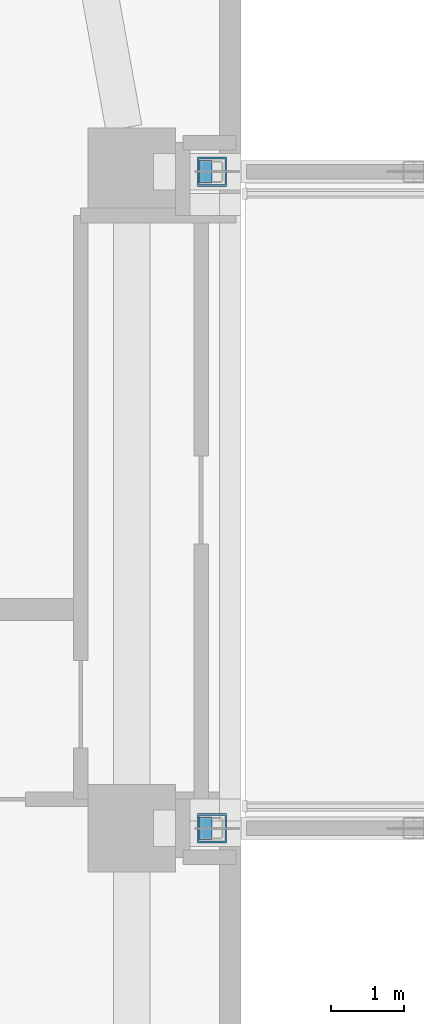
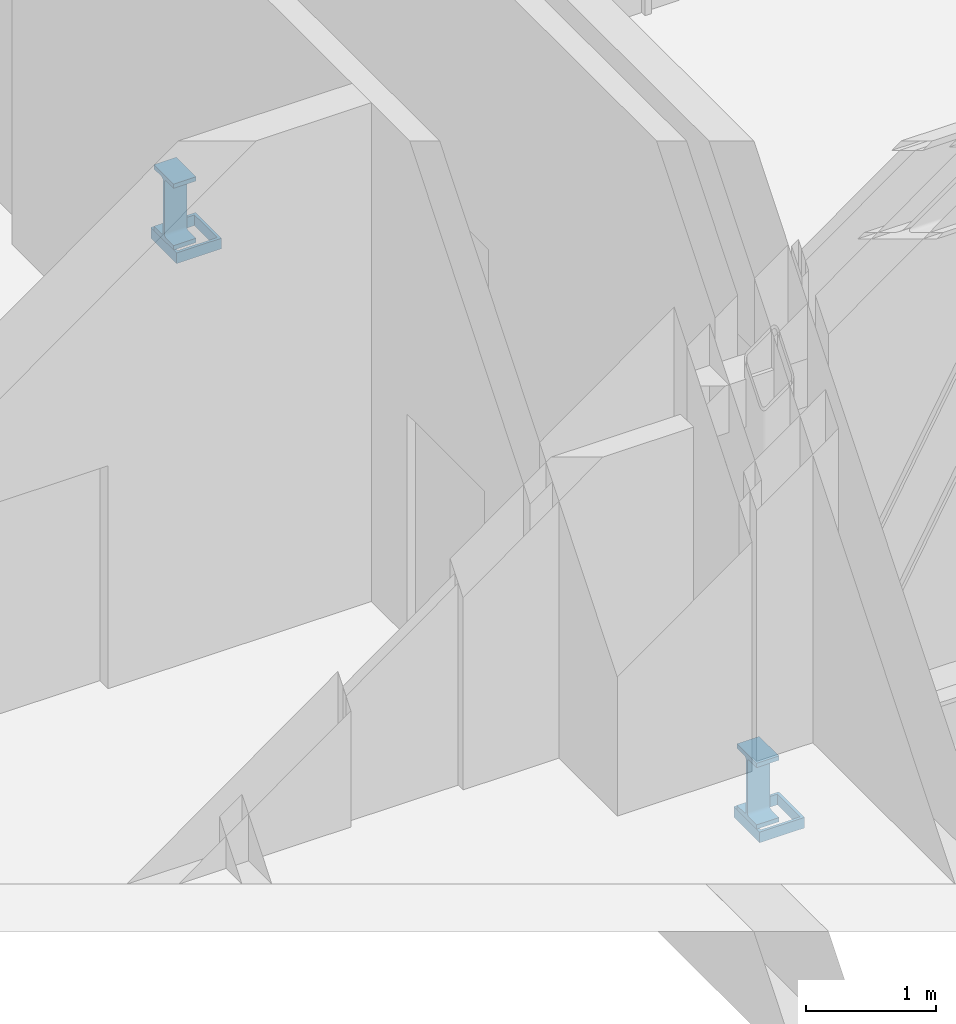
# One storey, part 4 of 35: 4 members.
"""IFC4 building model written with IfcOpenShell, lengths in metres."""

from ifc_helpers import new_model, si_unit, direction, frame, origin, origin_2d, place, context, subcontext, project, spatial, hollow_rectangle, i_section, extrude, material, material_profile, profile_set, type_object, element, save


model = new_model("IFC4")

# Units and contexts
model_context = context("Model", 3, precision=1e-05, world=origin(), true_north=direction((0.0, 1.0)))
body_context = subcontext(model_context, "Body", "Model", "MODEL_VIEW")
ifc_project = project(units=[si_unit("LENGTHUNIT", "METRE"), si_unit("AREAUNIT", "SQUARE_METRE"), si_unit("VOLUMEUNIT", "CUBIC_METRE"), si_unit("PLANEANGLEUNIT", "RADIAN"), si_unit("MASSUNIT", "GRAM", prefix="KILO")], contexts=[model_context])

# Site, building, storey
site_placement = place(None, origin())
site = spatial("IfcSite", under=ifc_project, at=site_placement, CompositionType="ELEMENT")
building_placement = place(site_placement, origin())
building = spatial("IfcBuilding", under=site, at=building_placement, Name="Ogive Portal Towers", CompositionType="ELEMENT")
storey_placement = place(building_placement, frame((0.0, 0.0, 18.5)))
storey = spatial("IfcBuildingStorey", under=building, at=storey_placement, Name="L03", CompositionType="ELEMENT", Elevation=18.5)

# Members
ifc_material = material(Name="Steel S355", Category="steel")
ifc_material_profile_1 = material_profile(ifc_material, hollow_rectangle(XDim=0.39990234375, YDim=0.39990234375, WallThickness=0.02490234375, at=origin_2d()), Name="BOX 400x400x25")
ifc_profile_set_1 = profile_set([ifc_material_profile_1], Name="Steel S355")
member_type_1 = type_object("IfcMemberType", Name="BEARING BOX 400x400x25", PredefinedType="USERDEFINED", material=ifc_profile_set_1)
for number, where, z_axis, x_axis, name in (
    (1, (104.60009765625, 30.5, -1.02001953125), (0.0, 0.0, 1.0), (1.0, 0.0, 0.0), "Sliding bearing L03"),
    (2, (104.60009765625, 39.5, -1.02001953125), (0.0, 0.0, 1.0), (1.0, 0.0, 0.0), "Sliding bearing L03"),
):
    element("IfcMember", number, at=place(storey_placement, frame(where, z_axis=z_axis, x_axis=x_axis)), inside=storey, type_object=member_type_1, Name=name, ObjectType="BEARING", PredefinedType="USERDEFINED", context=body_context, shape_type="SweptSolid", body=[
        extrude(hollow_rectangle(XDim=0.39990234375, YDim=0.39990234375, WallThickness=0.02490234375, at=origin_2d()), origin(), (0.0, 0.0, 1.0), 0.10009765625),
    ])
ifc_material_profile_2 = material_profile(ifc_material, i_section(OverallWidth=0.304931640625, OverallDepth=0.6201171875, WebThickness=0.02099609375, FlangeThickness=0.0400390625, FilletRadius=0.027099609375, at=origin_2d()), Name="HEM 600")
ifc_profile_set_2 = profile_set([ifc_material_profile_2], Name="Steel S355")
member_type_2 = type_object("IfcMemberType", Name="CHORD HEM 600", PredefinedType="CHORD", material=ifc_profile_set_2)
for number, where, z_axis, x_axis, name in (
    (3, (104.39990234375, 30.5, -0.610107421875), (1.0, 0.0, 0.0), (0.0, 1.0, 0.0), "Link truss bottom chord"),
    (4, (104.39990234375, 39.5, -0.610107421875), (1.0, 0.0, 0.0), (0.0, 1.0, 0.0), "Link truss bottom chord"),
):
    element("IfcMember", number, at=place(storey_placement, frame(where, z_axis=z_axis, x_axis=x_axis)), inside=storey, type_object=member_type_2, Name=name, PredefinedType="CHORD", context=body_context, shape_type="SweptSolid", body=[
        extrude(i_section(OverallWidth=0.304931640625, OverallDepth=0.6201171875, WebThickness=0.02099609375, FlangeThickness=0.0400390625, FilletRadius=0.027099609375, at=origin_2d()), origin(), (0.0, 0.0, 1.0), 0.2001953125),
    ])

save(model, "model.ifc")
